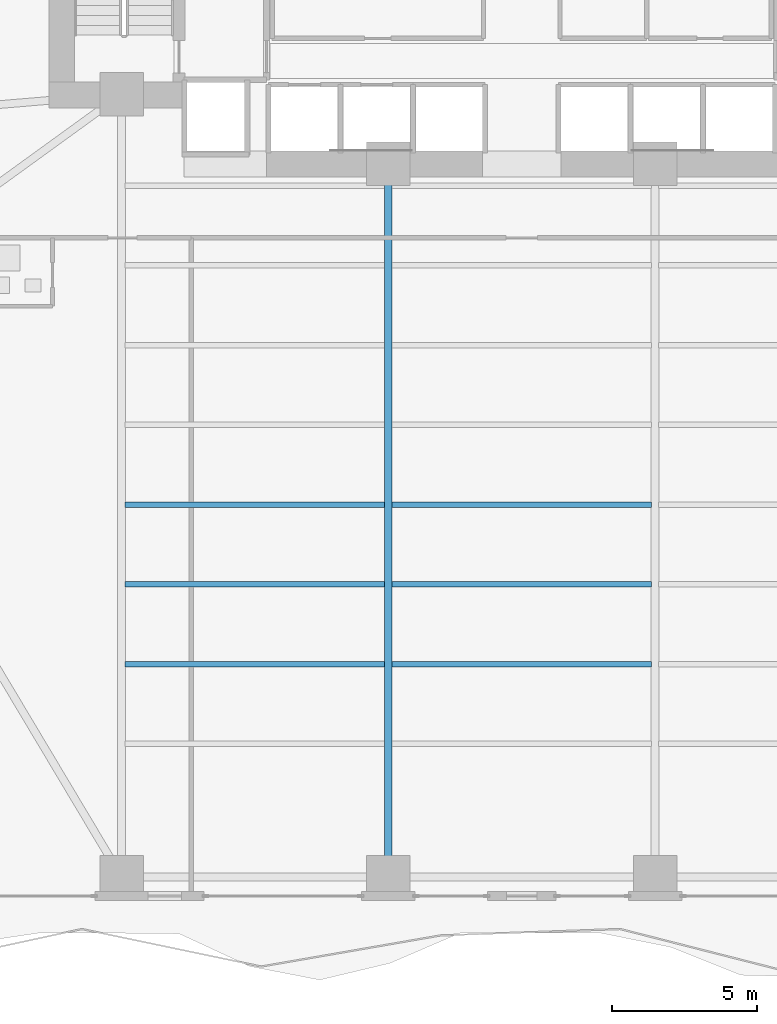
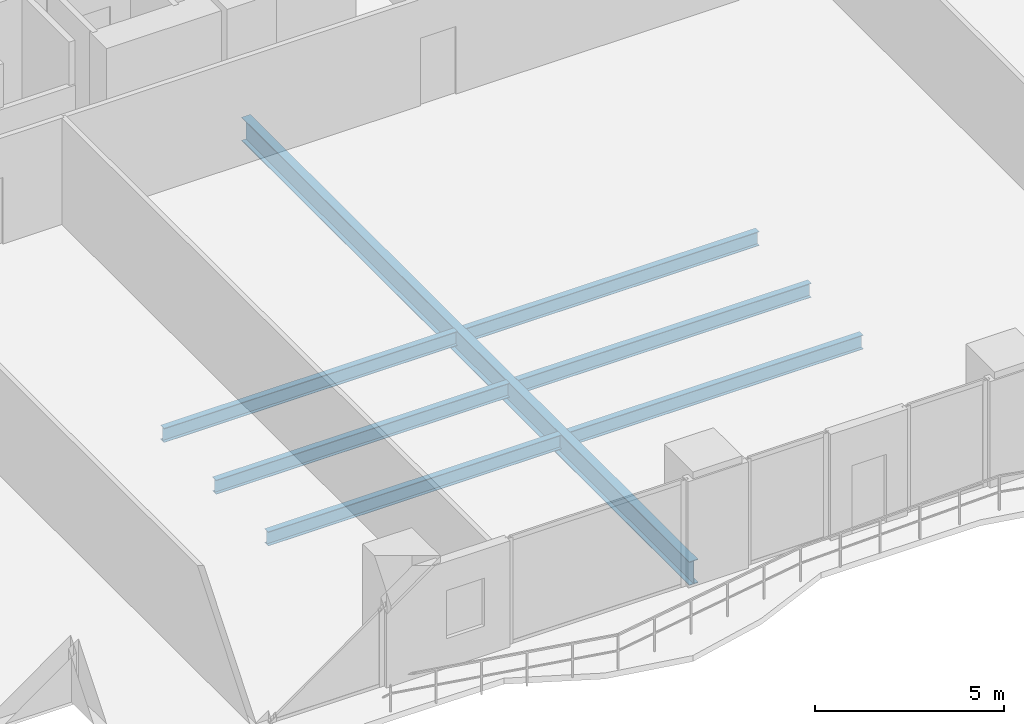
# One storey, part 5 of 28: 7 beams.
"""IFC4 building model written with IfcOpenShell, lengths in metres."""

from ifc_helpers import new_model, si_unit, direction, frame, origin, origin_2d, place, context, subcontext, project, spatial, i_section, extrude, material, material_profile, profile_set, type_object, element, save


model = new_model("IFC4")

# Units and contexts
model_context = context("Model", 3, precision=1e-05, world=origin(), true_north=direction((0.0, 1.0)))
body_context = subcontext(model_context, "Body", "Model", "MODEL_VIEW")
ifc_project = project(units=[si_unit("LENGTHUNIT", "METRE"), si_unit("AREAUNIT", "SQUARE_METRE"), si_unit("VOLUMEUNIT", "CUBIC_METRE"), si_unit("PLANEANGLEUNIT", "RADIAN"), si_unit("MASSUNIT", "GRAM", prefix="KILO")], contexts=[model_context])

# Site, building, storey
site_placement = place(None, origin())
site = spatial("IfcSite", under=ifc_project, at=site_placement, CompositionType="ELEMENT")
building_placement = place(site_placement, origin())
building = spatial("IfcBuilding", under=site, at=building_placement, Name="Zuhayl Quay Hotel", CompositionType="ELEMENT")
storey_placement = place(building_placement, frame((0.0, 0.0, 75.050048828125)))
storey = spatial("IfcBuildingStorey", under=building, at=storey_placement, Name="L18", CompositionType="ELEMENT", Elevation=75.050048828125)

# Beams
ifc_material = material(Name="Steel ASTM A992 Grade 50", Category="steel")
ifc_material_profile_1 = material_profile(ifc_material, i_section(OverallWidth=0.26708984375, OverallDepth=0.761962890625, WebThickness=0.014404296875, FlangeThickness=0.021484375, at=origin_2d()), Name="W30X116")
ifc_profile_set_1 = profile_set([ifc_material_profile_1], Name="Steel ASTM A992 Grade 50")
beam_type_1 = type_object("IfcBeamType", Name="BM_B1_W30X116", PredefinedType="BEAM", material=ifc_profile_set_1)
beam_1_placement = place(storey_placement, frame((-4.60009765625, -21.949951171875, -0.60107421875), z_axis=(0.0, 1.0, 0.0), x_axis=(-1.0, 0.0, 0.0)))
element("IfcBeam", 1, at=beam_1_placement, inside=storey, type_object=beam_type_1, Name="L18 Floor Beam FG_S_L18_2", PredefinedType="BEAM", context=body_context, shape_type="SweptSolid", body=[
    extrude(i_section(OverallWidth=0.26708984375, OverallDepth=0.761962890625, WebThickness=0.014404296875, FlangeThickness=0.021484375, at=origin_2d()), origin(), (0.0, 0.0, 1.0), 23.64990234375),
])
ifc_material_profile_2 = material_profile(ifc_material, i_section(OverallWidth=0.18994140625, OverallDepth=0.45703125, WebThickness=0.009033203125, FlangeThickness=0.014404296875, at=origin_2d()), Name="W18X50")
ifc_profile_set_2 = profile_set([ifc_material_profile_2], Name="Steel ASTM A992 Grade 50")
beam_type_2 = type_object("IfcBeamType", Name="BM_J2_W18X50", PredefinedType="JOIST", material=ifc_profile_set_2)
beam_2_placement = place(storey_placement, frame((-13.674560546875, -15.10009765625, -0.448486328125), z_axis=(1.0, 0.0, 0.0), x_axis=(0.0, 1.0, 0.0)))
element("IfcBeam", 2, at=beam_2_placement, inside=storey, type_object=beam_type_2, Name="L18 Floor Beam FJ_L18_4_1", PredefinedType="JOIST", context=body_context, shape_type="SweptSolid", body=[
    extrude(i_section(OverallWidth=0.18994140625, OverallDepth=0.45703125, WebThickness=0.009033203125, FlangeThickness=0.014404296875, at=origin_2d()), origin(), (0.0, 0.0, 1.0), 8.948974609375),
])
beam_3_placement = place(storey_placement, frame((-4.474609375, -15.10009765625, -0.448486328125), z_axis=(1.0, 0.0, 0.0), x_axis=(0.0, 1.0, 0.0)))
element("IfcBeam", 3, at=beam_3_placement, inside=storey, type_object=beam_type_2, Name="L18 Floor Beam FJ_L18_4_2", PredefinedType="JOIST", context=body_context, shape_type="SweptSolid", body=[
    extrude(i_section(OverallWidth=0.18994140625, OverallDepth=0.45703125, WebThickness=0.009033203125, FlangeThickness=0.014404296875, at=origin_2d()), origin(), (0.0, 0.0, 1.0), 8.94921875),
])
beam_4_placement = place(storey_placement, frame((-13.674560546875, -12.35009765625, -0.448486328125), z_axis=(1.0, 0.0, 0.0), x_axis=(0.0, 1.0, 0.0)))
element("IfcBeam", 4, at=beam_4_placement, inside=storey, type_object=beam_type_2, Name="L18 Floor Beam FJ_L18_5_1", PredefinedType="JOIST", context=body_context, shape_type="SweptSolid", body=[
    extrude(i_section(OverallWidth=0.18994140625, OverallDepth=0.45703125, WebThickness=0.009033203125, FlangeThickness=0.014404296875, at=origin_2d()), origin(), (0.0, 0.0, 1.0), 8.948974609375),
])
beam_5_placement = place(storey_placement, frame((-4.474609375, -12.35009765625, -0.448486328125), z_axis=(1.0, 0.0, 0.0), x_axis=(0.0, 1.0, 0.0)))
element("IfcBeam", 5, at=beam_5_placement, inside=storey, type_object=beam_type_2, Name="L18 Floor Beam FJ_L18_5_2", PredefinedType="JOIST", context=body_context, shape_type="SweptSolid", body=[
    extrude(i_section(OverallWidth=0.18994140625, OverallDepth=0.45703125, WebThickness=0.009033203125, FlangeThickness=0.014404296875, at=origin_2d()), origin(), (0.0, 0.0, 1.0), 8.94921875),
])
beam_6_placement = place(storey_placement, frame((-13.674560546875, -9.60009765625, -0.448486328125), z_axis=(1.0, 0.0, 0.0), x_axis=(0.0, 1.0, 0.0)))
element("IfcBeam", 6, at=beam_6_placement, inside=storey, type_object=beam_type_2, Name="L18 Floor Beam FJ_L18_6_1", PredefinedType="JOIST", context=body_context, shape_type="SweptSolid", body=[
    extrude(i_section(OverallWidth=0.18994140625, OverallDepth=0.45703125, WebThickness=0.009033203125, FlangeThickness=0.014404296875, at=origin_2d()), origin(), (0.0, 0.0, 1.0), 8.948974609375),
])
beam_7_placement = place(storey_placement, frame((-4.474609375, -9.60009765625, -0.448486328125), z_axis=(1.0, 0.0, 0.0), x_axis=(0.0, 1.0, 0.0)))
element("IfcBeam", 7, at=beam_7_placement, inside=storey, type_object=beam_type_2, Name="L18 Floor Beam FJ_L18_6_2", PredefinedType="JOIST", context=body_context, shape_type="SweptSolid", body=[
    extrude(i_section(OverallWidth=0.18994140625, OverallDepth=0.45703125, WebThickness=0.009033203125, FlangeThickness=0.014404296875, at=origin_2d()), origin(), (0.0, 0.0, 1.0), 8.94921875),
])

save(model, "model.ifc")
